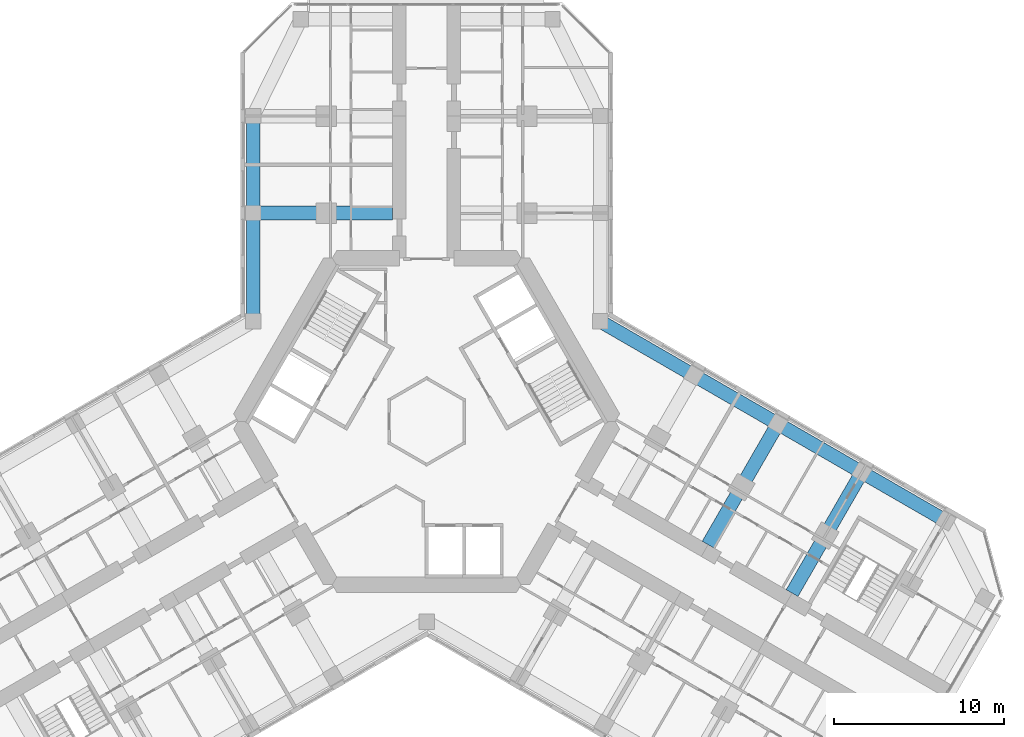
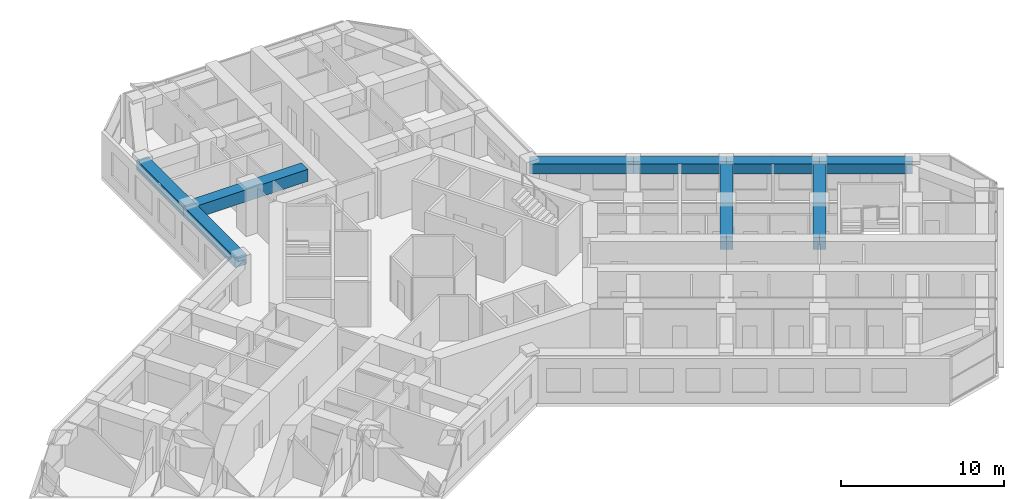
# One storey, part 6 of 19: 9 beams.
"""IFC4 building model written with IfcOpenShell, lengths in metres."""

import ifcopenshell
import ifcopenshell.guid

model = None  # the IFC model being written
_history = None  # IfcOwnerHistory: only IFC2X3 demands one
_inside = {}  # id of a spatial element -> (the spatial element, [elements in it])
_under = {}  # id of a project, library or spatial element -> (it, [spatial elements below it])
_declared = {}  # id of a project -> (the project, [libraries it declares])
_typed = {}  # id of a type object -> (the type object, [elements of that type])
_made_of = {}  # id of a material, layer set ... -> (it, [elements and type objects made of it])


def new_model(schema):
    """Start an empty IFC model of exactly this schema.

    Asked for "IFC4X3", IfcOpenShell would pick the latest addendum, in which some entities
    have other attributes; the version numbers below select the first issue.
    IFC2X3 requires an IfcOwnerHistory on every rooted entity: one is made here for all.
    """
    global model, _history
    if schema == "IFC4X3":
        model = ifcopenshell.file(schema_version=(4, 3, 0, 0))
    else:
        model = ifcopenshell.file(schema=schema)
    _inside.clear()
    _under.clear()
    _declared.clear()
    _typed.clear()
    _made_of.clear()
    _history = None
    if model.schema == "IFC2X3":
        org = make("IfcOrganization", Name="unknown")
        user = make(
            "IfcPersonAndOrganization",
            ThePerson=make("IfcPerson", FamilyName="unknown"),
            TheOrganization=org,
        )
        app = make(
            "IfcApplication",
            ApplicationDeveloper=org,
            Version="unknown",
            ApplicationFullName="unknown",
            ApplicationIdentifier="unknown",
        )
        _history = make(
            "IfcOwnerHistory",
            OwningUser=user,
            OwningApplication=app,
            ChangeAction="ADDED",
            CreationDate=0,
        )
    return model


def make(cls, **values):
    """One entity of the class cls with the attributes given. An attribute that is None is left unset."""
    return model.create_entity(
        cls, **{name: value for name, value in values.items() if value is not None}
    )


def rooted(cls, **values):
    """An entity with a GlobalId (a new one), such as an element, a storey or a relation."""
    return make(cls, GlobalId=ifcopenshell.guid.new(), OwnerHistory=_history, **values)


def si_unit(unit_type, name, prefix=None):
    """IfcSIUnit, for example si_unit("LENGTHUNIT", "METRE", prefix="MILLI")."""
    return make("IfcSIUnit", UnitType=unit_type, Prefix=prefix, Name=name)


def assignment(units):
    """IfcUnitAssignment: the units of a project."""
    return None if units is None else make("IfcUnitAssignment", Units=units)


def point(xyz):
    """IfcCartesianPoint."""
    return None if xyz is None else make("IfcCartesianPoint", Coordinates=xyz)


def direction(xyz):
    """IfcDirection."""
    return None if xyz is None else make("IfcDirection", DirectionRatios=xyz)


def frame(location, z_axis=None, x_axis=None):
    """IfcAxis2Placement3D, a coordinate frame: its origin and axes. An axis left out is left unset."""
    return make(
        "IfcAxis2Placement3D",
        Location=point(location),
        Axis=direction(z_axis),
        RefDirection=direction(x_axis),
    )


def frame_2d(location, x_axis=None):
    """IfcAxis2Placement2D, a coordinate frame in the plane: its origin and x axis."""
    return make(
        "IfcAxis2Placement2D", Location=point(location), RefDirection=direction(x_axis)
    )


def origin():
    """The frame at (0, 0, 0) with its axes left unset."""
    return frame((0.0, 0.0, 0.0))


def origin_2d():
    """The frame at (0, 0) in the plane with its x axis left unset."""
    return frame_2d((0.0, 0.0))


def place(relative_to, where):
    """IfcLocalPlacement: puts the frame where relative to a parent placement (None: the world)."""
    return make(
        "IfcLocalPlacement", PlacementRelTo=relative_to, RelativePlacement=where
    )


def context(
    kind, dimensions, precision=None, world=None, true_north=None, identifier=None
):
    """IfcGeometricRepresentationContext, for example the 3D "Model" context."""
    return make(
        "IfcGeometricRepresentationContext",
        ContextIdentifier=identifier,
        ContextType=kind,
        CoordinateSpaceDimension=dimensions,
        Precision=precision,
        WorldCoordinateSystem=world,
        TrueNorth=true_north,
    )


def subcontext(parent, identifier, kind, view, scale=None):
    """IfcGeometricRepresentationSubContext, for example "Body" below "Model"."""
    return make(
        "IfcGeometricRepresentationSubContext",
        ContextIdentifier=identifier,
        ContextType=kind,
        ParentContext=parent,
        TargetScale=scale,
        TargetView=view,
    )


def project(units=None, contexts=None):
    """IfcProject with its units and contexts."""
    return rooted(
        "IfcProject",
        Name="project",
        RepresentationContexts=contexts,
        UnitsInContext=assignment(units),
    )


def spatial(cls, under=None, at=None, **own):
    """A site, building, storey or space (cls), placed at a placement, below another one or the project."""
    s = rooted(cls, ObjectPlacement=at, **own)
    if under is not None:
        _under.setdefault(under.id(), (under, []))[1].append(s)
    return s


def profile(cls, at=None, kind="AREA", **sizes):
    """A parametric profile (cls). Its sizes go by their IFC names, for example OverallWidth=200.0."""
    return make(cls, ProfileType=kind, Position=at, **sizes)


def rectangle(**sizes):
    """IfcRectangleProfileDef."""
    return profile("IfcRectangleProfileDef", **sizes)


def extrude(swept, where, along, depth):
    """IfcExtrudedAreaSolid: the profile swept, set in the frame where, extruded along a direction by depth."""
    return make(
        "IfcExtrudedAreaSolid",
        SweptArea=swept,
        Position=where,
        ExtrudedDirection=direction(along),
        Depth=depth,
    )


def shape(context_of_items, identifier, shape_type, items):
    """IfcShapeRepresentation: the items that make up one representation, for example the "Body"."""
    return make(
        "IfcShapeRepresentation",
        ContextOfItems=context_of_items,
        RepresentationIdentifier=identifier,
        RepresentationType=shape_type,
        Items=items,
    )


def material(Name=None, Category=None):
    """IfcMaterial."""
    return make("IfcMaterial", Name=Name, Category=Category)


def material_profile(
    of_material, cross_section, Name=None, Category=None, Priority=None
):
    """IfcMaterialProfile: a cross section and its material."""
    return make(
        "IfcMaterialProfile",
        Name=Name,
        Material=of_material,
        Profile=cross_section,
        Priority=Priority,
        Category=Category,
    )


def profile_set(profiles, Name=None, composite=None):
    """IfcMaterialProfileSet."""
    return make(
        "IfcMaterialProfileSet",
        Name=Name,
        MaterialProfiles=profiles,
        CompositeProfile=composite,
    )


def made_of(thing, what):
    """Note that an element or type object is made of a material, layer set ...; save() writes the relation."""
    if what is not None:
        _made_of.setdefault(what.id(), (what, []))[1].append(thing)
    return thing


def type_object(cls, material=None, **own):
    """A type object (cls), such as IfcWallType, which elements share."""
    return made_of(rooted(cls, **own), material)


def element(
    cls,
    number,
    at=None,
    inside=None,
    cuts=None,
    type_object=None,
    material=None,
    context=None,
    identifier="Body",
    shape_type=None,
    held_by="IfcProductDefinitionShape",
    body=None,
    shapes=None,
    **own,
):
    """One element of the class cls, such as IfcWall. Its Tag is "e" and its number.

    at: its placement. inside: the storey or other place that contains it. cuts: it is an
    opening in that element (IfcRelVoidsElement). A single representation is given by context,
    identifier, shape_type and body (its items); several are given by shapes. held_by: the class
    of the entity that holds the representations. save() writes the other relations.
    """
    e = rooted(cls, Tag="e%d" % number, ObjectPlacement=at, **own)
    if body is not None:
        shapes = [shape(context, identifier, shape_type, body)]
    if shapes is not None:
        e.Representation = make(held_by, Representations=shapes)
    if inside is not None:
        _inside.setdefault(inside.id(), (inside, []))[1].append(e)
    if cuts is not None:
        rooted(
            "IfcRelVoidsElement", RelatingBuildingElement=cuts, RelatedOpeningElement=e
        )
    if type_object is not None:
        _typed.setdefault(type_object.id(), (type_object, []))[1].append(e)
    return made_of(e, material)


def aggregate(whole, parts):
    """IfcRelAggregates: a whole, such as a stair, and the parts it consists of."""
    return rooted("IfcRelAggregates", RelatingObject=whole, RelatedObjects=parts)


def save(model, path):
    """Write the relations noted so far, then the file.

    IfcRelAggregates (storeys below a building ...), IfcRelContainedInSpatialStructure (elements
    in a storey), IfcRelDefinesByType, IfcRelAssociatesMaterial and IfcRelDeclares: one each for
    every whole, place, type object, material and project.
    """
    for whole, parts in _under.values():
        aggregate(whole, parts)
    for where, things in _inside.values():
        rooted(
            "IfcRelContainedInSpatialStructure",
            RelatedElements=things,
            RelatingStructure=where,
        )
    for kind, things in _typed.values():
        rooted("IfcRelDefinesByType", RelatedObjects=things, RelatingType=kind)
    for what, things in _made_of.values():
        rooted("IfcRelAssociatesMaterial", RelatedObjects=things, RelatingMaterial=what)
    for by, libraries in _declared.values():
        rooted("IfcRelDeclares", RelatingContext=by, RelatedDefinitions=libraries)
    model.write(path)


model = new_model("IFC4")

# Units and contexts
model_context = context("Model", 3, precision=1e-05, world=origin(), true_north=direction((0.0, 1.0)))
body_context = subcontext(model_context, "Body", "Model", "MODEL_VIEW")
ifc_project = project(units=[si_unit("LENGTHUNIT", "METRE"), si_unit("AREAUNIT", "SQUARE_METRE"), si_unit("VOLUMEUNIT", "CUBIC_METRE"), si_unit("PLANEANGLEUNIT", "RADIAN"), si_unit("MASSUNIT", "GRAM", prefix="KILO")], contexts=[model_context])

# Site, building, storey
site_placement = place(None, origin())
site = spatial("IfcSite", under=ifc_project, at=site_placement, CompositionType="ELEMENT")
building_placement = place(site_placement, origin())
building = spatial("IfcBuilding", under=site, at=building_placement, Name="Kosmar Iwan School Tower", CompositionType="ELEMENT")
storey_placement = place(building_placement, frame((0.0, 0.0, 138.199951171875)))
storey = spatial("IfcBuildingStorey", under=building, at=storey_placement, Name="L34", CompositionType="ELEMENT", Elevation=138.199951171875)

# Beams
ifc_material_1 = material(Name="Concrete C50/60", Category="concrete")
ifc_material_profile_1 = material_profile(ifc_material_1, rectangle(XDim=0.800048828125, YDim=0.75, at=origin_2d()), Name="RC 800x750")
ifc_profile_set_1 = profile_set([ifc_material_profile_1], Name="Concrete C50/60")
beam_type_1 = type_object("IfcBeamType", Name="RC edge beam 800x750", PredefinedType="BEAM", material=ifc_profile_set_1)
beam_1_placement = place(storey_placement, frame((-10.199951171875, 5.888916015625, 2.97509765625), z_axis=(0.0, 1.0, 0.0), x_axis=(-1.0, 0.0, 0.0)))
element("IfcBeam", 1, at=beam_1_placement, inside=storey, type_object=beam_type_1, Name="Edge beam AL1", PredefinedType="BEAM", context=body_context, shape_type="SweptSolid", body=[
    extrude(rectangle(XDim=0.800048828125, YDim=0.75, at=origin_2d()), origin(), (0.0, 0.0, 1.0), 6.361083984375),
])
beam_2_placement = place(storey_placement, frame((-10.199951171875, 12.25, 2.97509765625), z_axis=(0.0, 1.0, 0.0), x_axis=(-1.0, 0.0, 0.0)))
element("IfcBeam", 2, at=beam_2_placement, inside=storey, type_object=beam_type_1, Name="Edge beam AL2", PredefinedType="BEAM", context=body_context, shape_type="SweptSolid", body=[
    extrude(rectangle(XDim=0.800048828125, YDim=0.75, at=origin_2d()), origin(), (0.0, 0.0, 1.0), 5.699951171875),
])
beam_3_placement = place(storey_placement, frame((10.199951171875, 5.888916015625, 2.97509765625), z_axis=(0.866030912664, -0.49999045822, 0.0), x_axis=(0.49999045822, 0.866030912664, 0.0)))
element("IfcBeam", 3, at=beam_3_placement, inside=storey, type_object=beam_type_1, Name="Edge beam CL1", PredefinedType="BEAM", context=body_context, shape_type="SweptSolid", body=[
    extrude(rectangle(XDim=0.800048828125, YDim=0.75, at=origin_2d()), origin(), (0.0, 0.0, 1.0), 6.36083984375),
])
beam_4_placement = place(storey_placement, frame((15.708740234375, 2.70849609375, 2.97509765625), z_axis=(0.866025820012, -0.499999279071, 0.0), x_axis=(0.499999279071, 0.866025820012, 0.0)))
element("IfcBeam", 4, at=beam_4_placement, inside=storey, type_object=beam_type_1, Name="Edge beam CL2", PredefinedType="BEAM", context=body_context, shape_type="SweptSolid", body=[
    extrude(rectangle(XDim=0.800048828125, YDim=0.75, at=origin_2d()), origin(), (0.0, 0.0, 1.0), 5.7001953125),
])
for number, where, z_axis, x_axis, name in (
    (5, (20.645263671875, -0.1416015625, 2.97509765625), (0.866033658841, -0.49998570155, 0.0), (0.49998570155, 0.866033658841, 0.0), "Edge beam CL3"),
    (6, (25.58154296875, -2.991455078125, 2.97509765625), (0.866015111908, -0.50001782563, 0.0), (0.50001782563, 0.866015111908, 0.0), "Edge beam CL4"),
):
    element("IfcBeam", number, at=place(storey_placement, frame(where, z_axis=z_axis, x_axis=x_axis)), inside=storey, type_object=beam_type_1, Name=name, PredefinedType="BEAM", context=body_context, shape_type="SweptSolid", body=[
        extrude(rectangle(XDim=0.800048828125, YDim=0.75, at=origin_2d()), origin(), (0.0, 0.0, 1.0), 5.699951171875),
    ])
ifc_material_2 = material(Name="Concrete C50/60", Category="concrete")
ifc_material_profile_2 = material_profile(ifc_material_2, rectangle(XDim=0.800048828125, YDim=0.89990234375, at=origin_2d()), Name="RC 800x900")
ifc_profile_set_2 = profile_set([ifc_material_profile_2], Name="Concrete C50/60")
beam_type_2 = type_object("IfcBeamType", Name="RC transverse beam 800x900", PredefinedType="BEAM", material=ifc_profile_set_2)
for number, where, z_axis, x_axis, name in (
    (7, (-10.199951171875, 12.25, 2.900146484375), (1.0, 0.0, 0.0), (0.0, 1.0, 0.0), "Transverse beam AL1"),
    (8, (20.645263671875, -0.1416015625, 2.900146484375), (-0.500013681986, -0.866017504342, 0.0), (0.866017504342, -0.500013681986, 0.0), "Transverse beam CL2"),
):
    element("IfcBeam", number, at=place(storey_placement, frame(where, z_axis=z_axis, x_axis=x_axis)), inside=storey, type_object=beam_type_2, Name=name, PredefinedType="BEAM", context=body_context, shape_type="SweptSolid", body=[
        extrude(rectangle(XDim=0.800048828125, YDim=0.89990234375, at=origin_2d()), origin(), (0.0, 0.0, 1.0), 8.199951171875),
    ])
beam_5_placement = place(storey_placement, frame((25.58154296875, -2.991455078125, 2.900146484375), z_axis=(-0.500000789788, -0.8660249478, 0.0), x_axis=(0.8660249478, -0.500000789788, 0.0)))
element("IfcBeam", 9, at=beam_5_placement, inside=storey, type_object=beam_type_2, Name="Transverse beam CL3", PredefinedType="BEAM", context=body_context, shape_type="SweptSolid", body=[
    extrude(rectangle(XDim=0.800048828125, YDim=0.89990234375, at=origin_2d()), origin(), (0.0, 0.0, 1.0), 8.2001953125),
])

save(model, "model.ifc")
